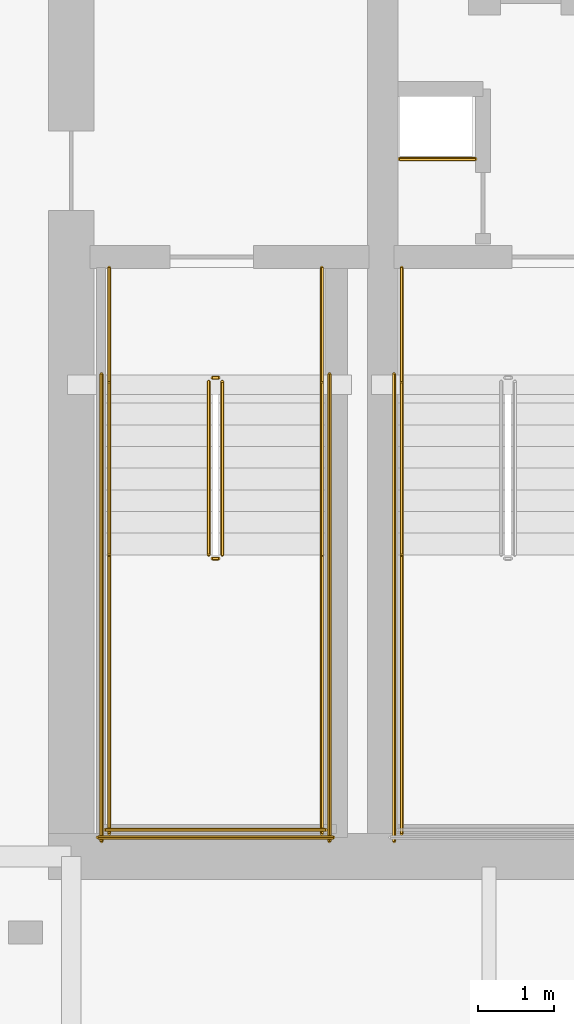
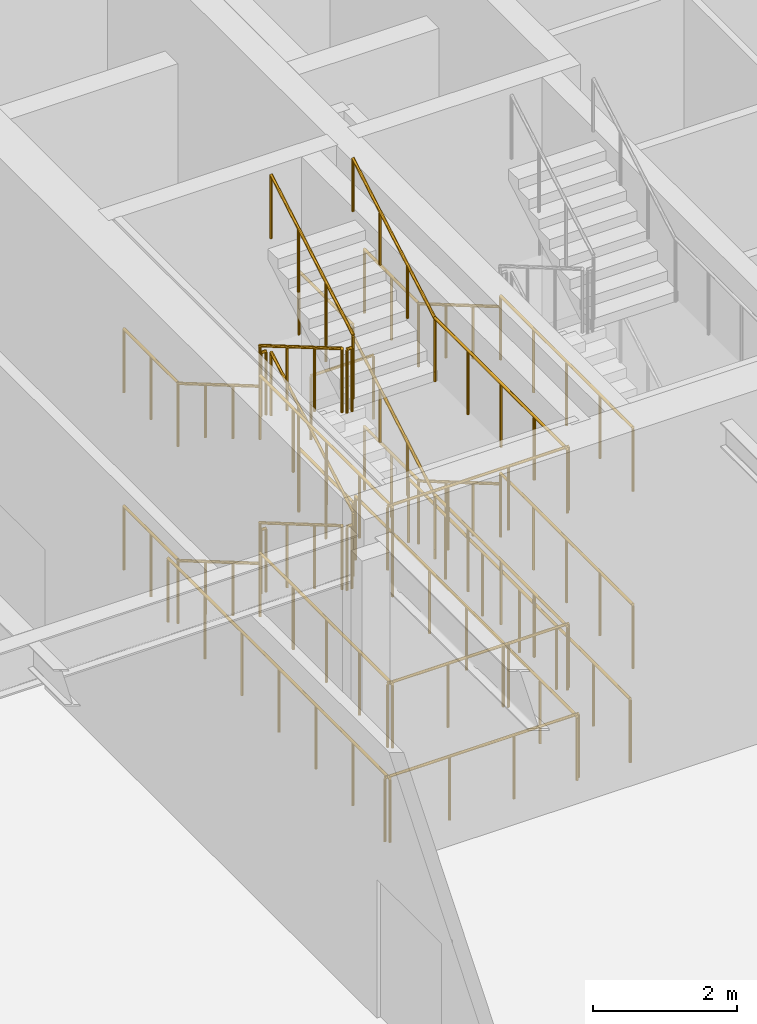
# One storey, part 12 of 17: 33 railings.
"""IFC4 building model written with IfcOpenShell, lengths in metres."""

from ifc_helpers import new_model, si_unit, direction, frame, origin, origin_2d, place, context, subcontext, project, spatial, circle, extrude, material, type_object, element, save


model = new_model("IFC4")

# Units and contexts
model_context = context("Model", 3, precision=1e-05, world=origin(), true_north=direction((0.0, 1.0)))
body_context = subcontext(model_context, "Body", "Model", "MODEL_VIEW")
ifc_project = project(units=[si_unit("LENGTHUNIT", "METRE"), si_unit("AREAUNIT", "SQUARE_METRE"), si_unit("VOLUMEUNIT", "CUBIC_METRE"), si_unit("PLANEANGLEUNIT", "RADIAN"), si_unit("MASSUNIT", "GRAM", prefix="KILO")], contexts=[model_context])

# Site, building, storey
site_placement = place(None, origin())
site = spatial("IfcSite", under=ifc_project, at=site_placement, CompositionType="ELEMENT")
building_placement = place(site_placement, origin())
building = spatial("IfcBuilding", under=site, at=building_placement, Name="Bramvorn Convention Spire", CompositionType="ELEMENT")
storey_placement = place(building_placement, frame((0.0, 0.0, 24.0)))
storey = spatial("IfcBuildingStorey", under=building, at=storey_placement, Name="L04", CompositionType="ELEMENT", Elevation=24.0)

# Railings
ifc_material_1 = material(Name="Painted Steel Balustrade & Guardrail", Category="steel")
railing_type_1 = type_object("IfcRailingType", Name="RL-STAIR-GUARD-1100", PredefinedType="GUARDRAIL", material=ifc_material_1)
railing_1_placement = place(storey_placement, frame((28.81005859375, 25.050048828125, 0.166748046875)))
element("IfcRailing", 1, at=railing_1_placement, inside=storey, type_object=railing_type_1, Name="L04 ST1 stair guard 1", PredefinedType="GUARDRAIL", context=body_context, shape_type="SweptSolid", body=[
    extrude(circle(Radius=0.02392578125, at=origin_2d()), frame((0.0, 0.0, 1.076171875), z_axis=(0.0, -0.863245362884, 0.504784551527), x_axis=(1.0, 0.0, 0.0)), (0.0, 0.0, 1.0), 2.64111328125),
    extrude(circle(Radius=0.02099609375, at=origin_2d()), origin(), (0.0, 0.0, 1.0), 1.052001953125),
    extrude(circle(Radius=0.02099609375, at=origin_2d()), frame((0.0, -0.760009765625, 0.4443359375)), (0.0, 0.0, 1.0), 1.052001953125),
    extrude(circle(Radius=0.02099609375, at=origin_2d()), frame((0.0, -1.52001953125, 0.888916015625)), (0.0, 0.0, 1.0), 1.052001953125),
    extrude(circle(Radius=0.02099609375, at=origin_2d()), frame((0.0, -2.280029296875, 1.333251953125)), (0.0, 0.0, 1.0), 1.052001953125),
])
railing_2_placement = place(storey_placement, frame((28.860107421875, 22.719970703125, 1.5)))
element("IfcRailing", 2, at=railing_2_placement, inside=storey, type_object=railing_type_1, Name="L04 ST1 stair guard 2", PredefinedType="GUARDRAIL", context=body_context, shape_type="SweptSolid", body=[
    extrude(circle(Radius=0.02392578125, at=origin_2d()), frame((0.0, 0.0, 1.076171875), z_axis=(1.0, 0.0, 0.0), x_axis=(0.0, 1.0, 0.0)), (0.0, 0.0, 1.0), 0.079833984375),
    extrude(circle(Radius=0.02099609375, at=origin_2d()), origin(), (0.0, 0.0, 1.0), 1.052001953125),
    extrude(circle(Radius=0.02099609375, at=origin_2d()), frame((0.079833984375, 0.0, 0.0)), (0.0, 0.0, 1.0), 1.052001953125),
])
for number, where, name in (
    (3, (27.5, 22.77001953125, 1.5), "L04 ST1 stair guard 3"),
    (4, (30.300048828125, 22.77001953125, 1.5), "L04 ST1 stair guard 4"),
):
    element("IfcRailing", number, at=place(storey_placement, frame(where)), inside=storey, type_object=railing_type_1, Name=name, PredefinedType="GUARDRAIL", context=body_context, shape_type="SweptSolid", body=[
        extrude(circle(Radius=0.02392578125, at=origin_2d()), frame((0.0, 0.0, 1.076171875), z_axis=(0.0, -1.0, 0.0), x_axis=(1.0, 0.0, 0.0)), (0.0, 0.0, 1.0), 3.669921875),
        extrude(circle(Radius=0.02099609375, at=origin_2d()), origin(), (0.0, 0.0, 1.0), 1.052001953125),
        extrude(circle(Radius=0.02099609375, at=origin_2d()), frame((0.0, -0.91748046875, 0.0)), (0.0, 0.0, 1.0), 1.052001953125),
        extrude(circle(Radius=0.02099609375, at=origin_2d()), frame((0.0, -1.8349609375, 0.0)), (0.0, 0.0, 1.0), 1.052001953125),
        extrude(circle(Radius=0.02099609375, at=origin_2d()), frame((0.0, -2.75244140625, 0.0)), (0.0, 0.0, 1.0), 1.052001953125),
        extrude(circle(Radius=0.02099609375, at=origin_2d()), frame((0.0, -3.669921875, 0.0)), (0.0, 0.0, 1.0), 1.052001953125),
    ])
railing_3_placement = place(storey_placement, frame((27.449951171875, 19.14990234375, 1.5)))
element("IfcRailing", 5, at=railing_3_placement, inside=storey, type_object=railing_type_1, Name="L04 ST1 stair guard 5", PredefinedType="GUARDRAIL", context=body_context, shape_type="SweptSolid", body=[
    extrude(circle(Radius=0.02392578125, at=origin_2d()), frame((0.0, 0.0, 1.076171875), z_axis=(1.0, 0.0, 0.0), x_axis=(0.0, 1.0, 0.0)), (0.0, 0.0, 1.0), 2.900146484375),
    extrude(circle(Radius=0.02099609375, at=origin_2d()), origin(), (0.0, 0.0, 1.0), 1.052001953125),
    extrude(circle(Radius=0.02099609375, at=origin_2d()), frame((0.966796875, 0.0, 0.0)), (0.0, 0.0, 1.0), 1.052001953125),
    extrude(circle(Radius=0.02099609375, at=origin_2d()), frame((1.933349609375, 0.0, 0.0)), (0.0, 0.0, 1.0), 1.052001953125),
    extrude(circle(Radius=0.02099609375, at=origin_2d()), frame((2.900146484375, 0.0, 0.0)), (0.0, 0.0, 1.0), 1.052001953125),
])
railing_4_placement = place(storey_placement, frame((28.989990234375, 22.77001953125, 1.666748046875)))
element("IfcRailing", 6, at=railing_4_placement, inside=storey, type_object=railing_type_1, Name="L04 ST1 stair guard 6", PredefinedType="GUARDRAIL", context=body_context, shape_type="SweptSolid", body=[
    extrude(circle(Radius=0.02392578125, at=origin_2d()), frame((0.0, 0.0, 1.076171875), z_axis=(0.0, 0.863245362884, 0.504784551527), x_axis=(-1.0, 0.0, 0.0)), (0.0, 0.0, 1.0), 2.64111328125),
    extrude(circle(Radius=0.02099609375, at=origin_2d()), origin(), (0.0, 0.0, 1.0), 1.052001953125),
    extrude(circle(Radius=0.02099609375, at=origin_2d()), frame((0.0, 0.760009765625, 0.4443359375)), (0.0, 0.0, 1.0), 1.052001953125),
    extrude(circle(Radius=0.02099609375, at=origin_2d()), frame((0.0, 1.52001953125, 0.888916015625)), (0.0, 0.0, 1.0), 1.052001953125),
    extrude(circle(Radius=0.02099609375, at=origin_2d()), frame((0.0, 2.280029296875, 1.333251953125)), (0.0, 0.0, 1.0), 1.052001953125),
])
railing_5_placement = place(storey_placement, frame((28.860107421875, 25.10009765625, 3.0)))
element("IfcRailing", 7, at=railing_5_placement, inside=storey, type_object=railing_type_1, Name="L04 ST1 stair guard 7", PredefinedType="GUARDRAIL", context=body_context, shape_type="SweptSolid", body=[
    extrude(circle(Radius=0.02392578125, at=origin_2d()), frame((0.0, 0.0, 1.076171875), z_axis=(1.0, 0.0, 0.0), x_axis=(0.0, 1.0, 0.0)), (0.0, 0.0, 1.0), 0.079833984375),
    extrude(circle(Radius=0.02099609375, at=origin_2d()), origin(), (0.0, 0.0, 1.0), 1.052001953125),
    extrude(circle(Radius=0.02099609375, at=origin_2d()), frame((0.079833984375, 0.0, 0.0)), (0.0, 0.0, 1.0), 1.052001953125),
])
for number, where, name in (
    (8, (27.5, 26.550048828125, 3.0), "L04 ST1 stair guard 8"),
    (9, (30.300048828125, 26.550048828125, 3.0), "L04 ST1 stair guard 9"),
):
    element("IfcRailing", number, at=place(storey_placement, frame(where)), inside=storey, type_object=railing_type_1, Name=name, PredefinedType="GUARDRAIL", context=body_context, shape_type="SweptSolid", body=[
        extrude(circle(Radius=0.02392578125, at=origin_2d()), frame((0.0, 0.0, 1.076171875), z_axis=(0.0, -1.0, 0.0), x_axis=(1.0, 0.0, 0.0)), (0.0, 0.0, 1.0), 1.5),
        extrude(circle(Radius=0.02099609375, at=origin_2d()), origin(), (0.0, 0.0, 1.0), 1.052001953125),
        extrude(circle(Radius=0.02099609375, at=origin_2d()), frame((0.0, -0.75, 0.0)), (0.0, 0.0, 1.0), 1.052001953125),
        extrude(circle(Radius=0.02099609375, at=origin_2d()), frame((0.0, -1.5, 0.0)), (0.0, 0.0, 1.0), 1.052001953125),
    ])
railing_6_placement = place(storey_placement, frame((28.81005859375, 25.050048828125, 3.166748046875)))
element("IfcRailing", 10, at=railing_6_placement, inside=storey, type_object=railing_type_1, Name="L04 ST1 stair guard 10", PredefinedType="GUARDRAIL", context=body_context, shape_type="SweptSolid", body=[
    extrude(circle(Radius=0.02392578125, at=origin_2d()), frame((0.0, 0.0, 1.076171875), z_axis=(0.0, -0.863245362884, 0.504784551527), x_axis=(1.0, 0.0, 0.0)), (0.0, 0.0, 1.0), 2.64111328125),
    extrude(circle(Radius=0.02099609375, at=origin_2d()), origin(), (0.0, 0.0, 1.0), 1.052001953125),
    extrude(circle(Radius=0.02099609375, at=origin_2d()), frame((0.0, -0.760009765625, 0.4443359375)), (0.0, 0.0, 1.0), 1.052001953125),
    extrude(circle(Radius=0.02099609375, at=origin_2d()), frame((0.0, -1.52001953125, 0.888916015625)), (0.0, 0.0, 1.0), 1.052001953125),
    extrude(circle(Radius=0.02099609375, at=origin_2d()), frame((0.0, -2.280029296875, 1.333251953125)), (0.0, 0.0, 1.0), 1.052001953125),
])
railing_7_placement = place(storey_placement, frame((28.860107421875, 22.719970703125, 4.5)))
element("IfcRailing", 11, at=railing_7_placement, inside=storey, type_object=railing_type_1, Name="L04 ST1 stair guard 11", PredefinedType="GUARDRAIL", context=body_context, shape_type="SweptSolid", body=[
    extrude(circle(Radius=0.02392578125, at=origin_2d()), frame((0.0, 0.0, 1.076171875), z_axis=(1.0, 0.0, 0.0), x_axis=(0.0, 1.0, 0.0)), (0.0, 0.0, 1.0), 0.079833984375),
    extrude(circle(Radius=0.02099609375, at=origin_2d()), origin(), (0.0, 0.0, 1.0), 1.052001953125),
    extrude(circle(Radius=0.02099609375, at=origin_2d()), frame((0.079833984375, 0.0, 0.0)), (0.0, 0.0, 1.0), 1.052001953125),
])
for number, where, name in (
    (12, (27.5, 22.77001953125, 4.5), "L04 ST1 stair guard 12"),
    (13, (30.300048828125, 22.77001953125, 4.5), "L04 ST1 stair guard 13"),
):
    element("IfcRailing", number, at=place(storey_placement, frame(where)), inside=storey, type_object=railing_type_1, Name=name, PredefinedType="GUARDRAIL", context=body_context, shape_type="SweptSolid", body=[
        extrude(circle(Radius=0.02392578125, at=origin_2d()), frame((0.0, 0.0, 1.076171875), z_axis=(0.0, -1.0, 0.0), x_axis=(1.0, 0.0, 0.0)), (0.0, 0.0, 1.0), 3.669921875),
        extrude(circle(Radius=0.02099609375, at=origin_2d()), origin(), (0.0, 0.0, 1.0), 1.052001953125),
        extrude(circle(Radius=0.02099609375, at=origin_2d()), frame((0.0, -0.91748046875, 0.0)), (0.0, 0.0, 1.0), 1.052001953125),
        extrude(circle(Radius=0.02099609375, at=origin_2d()), frame((0.0, -1.8349609375, 0.0)), (0.0, 0.0, 1.0), 1.052001953125),
        extrude(circle(Radius=0.02099609375, at=origin_2d()), frame((0.0, -2.75244140625, 0.0)), (0.0, 0.0, 1.0), 1.052001953125),
        extrude(circle(Radius=0.02099609375, at=origin_2d()), frame((0.0, -3.669921875, 0.0)), (0.0, 0.0, 1.0), 1.052001953125),
    ])
railing_8_placement = place(storey_placement, frame((27.449951171875, 19.14990234375, 4.5)))
element("IfcRailing", 14, at=railing_8_placement, inside=storey, type_object=railing_type_1, Name="L04 ST1 stair guard 14", PredefinedType="GUARDRAIL", context=body_context, shape_type="SweptSolid", body=[
    extrude(circle(Radius=0.02392578125, at=origin_2d()), frame((0.0, 0.0, 1.076171875), z_axis=(1.0, 0.0, 0.0), x_axis=(0.0, 1.0, 0.0)), (0.0, 0.0, 1.0), 2.900146484375),
    extrude(circle(Radius=0.02099609375, at=origin_2d()), origin(), (0.0, 0.0, 1.0), 1.052001953125),
    extrude(circle(Radius=0.02099609375, at=origin_2d()), frame((0.966796875, 0.0, 0.0)), (0.0, 0.0, 1.0), 1.052001953125),
    extrude(circle(Radius=0.02099609375, at=origin_2d()), frame((1.933349609375, 0.0, 0.0)), (0.0, 0.0, 1.0), 1.052001953125),
    extrude(circle(Radius=0.02099609375, at=origin_2d()), frame((2.900146484375, 0.0, 0.0)), (0.0, 0.0, 1.0), 1.052001953125),
])
railing_9_placement = place(storey_placement, frame((28.989990234375, 22.77001953125, 4.666748046875)))
element("IfcRailing", 15, at=railing_9_placement, inside=storey, type_object=railing_type_1, Name="L04 ST1 stair guard 15", PredefinedType="GUARDRAIL", context=body_context, shape_type="SweptSolid", body=[
    extrude(circle(Radius=0.02392578125, at=origin_2d()), frame((0.0, 0.0, 1.076171875), z_axis=(0.0, 0.863245362884, 0.504784551527), x_axis=(-1.0, 0.0, 0.0)), (0.0, 0.0, 1.0), 2.64111328125),
    extrude(circle(Radius=0.02099609375, at=origin_2d()), origin(), (0.0, 0.0, 1.0), 1.052001953125),
    extrude(circle(Radius=0.02099609375, at=origin_2d()), frame((0.0, 0.760009765625, 0.4443359375)), (0.0, 0.0, 1.0), 1.052001953125),
    extrude(circle(Radius=0.02099609375, at=origin_2d()), frame((0.0, 1.52001953125, 0.888916015625)), (0.0, 0.0, 1.0), 1.052001953125),
    extrude(circle(Radius=0.02099609375, at=origin_2d()), frame((0.0, 2.280029296875, 1.333251953125)), (0.0, 0.0, 1.0), 1.052001953125),
])
railing_10_placement = place(storey_placement, frame((28.860107421875, 25.10009765625, 0.0)))
element("IfcRailing", 16, at=railing_10_placement, inside=storey, type_object=railing_type_1, Name="L04 ST1 stair guard 16", PredefinedType="GUARDRAIL", context=body_context, shape_type="SweptSolid", body=[
    extrude(circle(Radius=0.02392578125, at=origin_2d()), frame((0.0, 0.0, 1.076171875), z_axis=(1.0, 0.0, 0.0), x_axis=(0.0, 1.0, 0.0)), (0.0, 0.0, 1.0), 0.079833984375),
    extrude(circle(Radius=0.02099609375, at=origin_2d()), origin(), (0.0, 0.0, 1.0), 1.052001953125),
    extrude(circle(Radius=0.02099609375, at=origin_2d()), frame((0.079833984375, 0.0, 0.0)), (0.0, 0.0, 1.0), 1.052001953125),
])
for number, where, name in (
    (17, (27.5, 26.550048828125, 0.0), "L04 ST1 stair guard 17"),
    (18, (30.300048828125, 26.550048828125, 0.0), "L04 ST1 stair guard 18"),
):
    element("IfcRailing", number, at=place(storey_placement, frame(where)), inside=storey, type_object=railing_type_1, Name=name, PredefinedType="GUARDRAIL", context=body_context, shape_type="SweptSolid", body=[
        extrude(circle(Radius=0.02392578125, at=origin_2d()), frame((0.0, 0.0, 1.076171875), z_axis=(0.0, -1.0, 0.0), x_axis=(1.0, 0.0, 0.0)), (0.0, 0.0, 1.0), 1.5),
        extrude(circle(Radius=0.02099609375, at=origin_2d()), origin(), (0.0, 0.0, 1.0), 1.052001953125),
        extrude(circle(Radius=0.02099609375, at=origin_2d()), frame((0.0, -0.75, 0.0)), (0.0, 0.0, 1.0), 1.052001953125),
        extrude(circle(Radius=0.02099609375, at=origin_2d()), frame((0.0, -1.5, 0.0)), (0.0, 0.0, 1.0), 1.052001953125),
    ])
for number, where, name in (
    (19, (27.39990234375, 25.14990234375, 0.0), "L04 ST1 stair guard 19"),
    (20, (30.39990234375, 25.14990234375, 0.0), "L04 ST1 stair guard 20"),
):
    element("IfcRailing", number, at=place(storey_placement, frame(where)), inside=storey, type_object=railing_type_1, Name=name, PredefinedType="GUARDRAIL", context=body_context, shape_type="SweptSolid", body=[
        extrude(circle(Radius=0.02392578125, at=origin_2d()), frame((0.0, 0.0, 1.076171875), z_axis=(0.0, -1.0, 0.0), x_axis=(1.0, 0.0, 0.0)), (0.0, 0.0, 1.0), 6.14990234375),
        extrude(circle(Radius=0.02099609375, at=origin_2d()), origin(), (0.0, 0.0, 1.0), 1.052001953125),
        extrude(circle(Radius=0.02099609375, at=origin_2d()), frame((0.0, -1.02490234375, 0.0)), (0.0, 0.0, 1.0), 1.052001953125),
        extrude(circle(Radius=0.02099609375, at=origin_2d()), frame((0.0, -2.050048828125, 0.0)), (0.0, 0.0, 1.0), 1.052001953125),
        extrude(circle(Radius=0.02099609375, at=origin_2d()), frame((0.0, -3.074951171875, 0.0)), (0.0, 0.0, 1.0), 1.052001953125),
        extrude(circle(Radius=0.02099609375, at=origin_2d()), frame((0.0, -4.099853515625, 0.0)), (0.0, 0.0, 1.0), 1.052001953125),
        extrude(circle(Radius=0.02099609375, at=origin_2d()), frame((0.0, -5.125, 0.0)), (0.0, 0.0, 1.0), 1.052001953125),
        extrude(circle(Radius=0.02099609375, at=origin_2d()), frame((0.0, -6.14990234375, 0.0)), (0.0, 0.0, 1.0), 1.052001953125),
    ])
railing_11_placement = place(storey_placement, frame((27.35009765625, 19.050048828125, 0.0)))
element("IfcRailing", 21, at=railing_11_placement, inside=storey, type_object=railing_type_1, Name="L04 ST1 stair guard 21", PredefinedType="GUARDRAIL", context=body_context, shape_type="SweptSolid", body=[
    extrude(circle(Radius=0.02392578125, at=origin_2d()), frame((0.0, 0.0, 1.076171875), z_axis=(1.0, 0.0, 0.0), x_axis=(0.0, 1.0, 0.0)), (0.0, 0.0, 1.0), 3.099853515625),
    extrude(circle(Radius=0.02099609375, at=origin_2d()), origin(), (0.0, 0.0, 1.0), 1.052001953125),
    extrude(circle(Radius=0.02099609375, at=origin_2d()), frame((1.033203125, 0.0, 0.0)), (0.0, 0.0, 1.0), 1.052001953125),
    extrude(circle(Radius=0.02099609375, at=origin_2d()), frame((2.066650390625, 0.0, 0.0)), (0.0, 0.0, 1.0), 1.052001953125),
    extrude(circle(Radius=0.02099609375, at=origin_2d()), frame((3.099853515625, 0.0, 0.0)), (0.0, 0.0, 1.0), 1.052001953125),
])
railing_12_placement = place(storey_placement, frame((31.35009765625, 22.77001953125, 1.5)))
element("IfcRailing", 22, at=railing_12_placement, inside=storey, type_object=railing_type_1, Name="L04 ST3 stair guard 3", PredefinedType="GUARDRAIL", context=body_context, shape_type="SweptSolid", body=[
    extrude(circle(Radius=0.02392578125, at=origin_2d()), frame((0.0, 0.0, 1.076171875), z_axis=(0.0, -1.0, 0.0), x_axis=(1.0, 0.0, 0.0)), (0.0, 0.0, 1.0), 3.669921875),
    extrude(circle(Radius=0.02099609375, at=origin_2d()), origin(), (0.0, 0.0, 1.0), 1.052001953125),
    extrude(circle(Radius=0.02099609375, at=origin_2d()), frame((0.0, -0.91748046875, 0.0)), (0.0, 0.0, 1.0), 1.052001953125),
    extrude(circle(Radius=0.02099609375, at=origin_2d()), frame((0.0, -1.8349609375, 0.0)), (0.0, 0.0, 1.0), 1.052001953125),
    extrude(circle(Radius=0.02099609375, at=origin_2d()), frame((0.0, -2.75244140625, 0.0)), (0.0, 0.0, 1.0), 1.052001953125),
    extrude(circle(Radius=0.02099609375, at=origin_2d()), frame((0.0, -3.669921875, 0.0)), (0.0, 0.0, 1.0), 1.052001953125),
])
railing_13_placement = place(storey_placement, frame((31.35009765625, 26.550048828125, 3.0)))
element("IfcRailing", 23, at=railing_13_placement, inside=storey, type_object=railing_type_1, Name="L04 ST3 stair guard 8", PredefinedType="GUARDRAIL", context=body_context, shape_type="SweptSolid", body=[
    extrude(circle(Radius=0.02392578125, at=origin_2d()), frame((0.0, 0.0, 1.076171875), z_axis=(0.0, -1.0, 0.0), x_axis=(1.0, 0.0, 0.0)), (0.0, 0.0, 1.0), 1.5),
    extrude(circle(Radius=0.02099609375, at=origin_2d()), origin(), (0.0, 0.0, 1.0), 1.052001953125),
    extrude(circle(Radius=0.02099609375, at=origin_2d()), frame((0.0, -0.75, 0.0)), (0.0, 0.0, 1.0), 1.052001953125),
    extrude(circle(Radius=0.02099609375, at=origin_2d()), frame((0.0, -1.5, 0.0)), (0.0, 0.0, 1.0), 1.052001953125),
])
railing_14_placement = place(storey_placement, frame((31.35009765625, 22.77001953125, 4.5)))
element("IfcRailing", 24, at=railing_14_placement, inside=storey, type_object=railing_type_1, Name="L04 ST3 stair guard 12", PredefinedType="GUARDRAIL", context=body_context, shape_type="SweptSolid", body=[
    extrude(circle(Radius=0.02392578125, at=origin_2d()), frame((0.0, 0.0, 1.076171875), z_axis=(0.0, -1.0, 0.0), x_axis=(1.0, 0.0, 0.0)), (0.0, 0.0, 1.0), 3.669921875),
    extrude(circle(Radius=0.02099609375, at=origin_2d()), origin(), (0.0, 0.0, 1.0), 1.052001953125),
    extrude(circle(Radius=0.02099609375, at=origin_2d()), frame((0.0, -0.91748046875, 0.0)), (0.0, 0.0, 1.0), 1.052001953125),
    extrude(circle(Radius=0.02099609375, at=origin_2d()), frame((0.0, -1.8349609375, 0.0)), (0.0, 0.0, 1.0), 1.052001953125),
    extrude(circle(Radius=0.02099609375, at=origin_2d()), frame((0.0, -2.75244140625, 0.0)), (0.0, 0.0, 1.0), 1.052001953125),
    extrude(circle(Radius=0.02099609375, at=origin_2d()), frame((0.0, -3.669921875, 0.0)), (0.0, 0.0, 1.0), 1.052001953125),
])
railing_15_placement = place(storey_placement, frame((31.35009765625, 26.550048828125, 0.0)))
element("IfcRailing", 25, at=railing_15_placement, inside=storey, type_object=railing_type_1, Name="L04 ST3 stair guard 17", PredefinedType="GUARDRAIL", context=body_context, shape_type="SweptSolid", body=[
    extrude(circle(Radius=0.02392578125, at=origin_2d()), frame((0.0, 0.0, 1.076171875), z_axis=(0.0, -1.0, 0.0), x_axis=(1.0, 0.0, 0.0)), (0.0, 0.0, 1.0), 1.5),
    extrude(circle(Radius=0.02099609375, at=origin_2d()), origin(), (0.0, 0.0, 1.0), 1.052001953125),
    extrude(circle(Radius=0.02099609375, at=origin_2d()), frame((0.0, -0.75, 0.0)), (0.0, 0.0, 1.0), 1.052001953125),
    extrude(circle(Radius=0.02099609375, at=origin_2d()), frame((0.0, -1.5, 0.0)), (0.0, 0.0, 1.0), 1.052001953125),
])
railing_16_placement = place(storey_placement, frame((31.25, 25.14990234375, 0.0)))
element("IfcRailing", 26, at=railing_16_placement, inside=storey, type_object=railing_type_1, Name="L04 ST3 stair guard 19", PredefinedType="GUARDRAIL", context=body_context, shape_type="SweptSolid", body=[
    extrude(circle(Radius=0.02392578125, at=origin_2d()), frame((0.0, 0.0, 1.076171875), z_axis=(0.0, -1.0, 0.0), x_axis=(1.0, 0.0, 0.0)), (0.0, 0.0, 1.0), 6.14990234375),
    extrude(circle(Radius=0.02099609375, at=origin_2d()), origin(), (0.0, 0.0, 1.0), 1.052001953125),
    extrude(circle(Radius=0.02099609375, at=origin_2d()), frame((0.0, -1.02490234375, 0.0)), (0.0, 0.0, 1.0), 1.052001953125),
    extrude(circle(Radius=0.02099609375, at=origin_2d()), frame((0.0, -2.050048828125, 0.0)), (0.0, 0.0, 1.0), 1.052001953125),
    extrude(circle(Radius=0.02099609375, at=origin_2d()), frame((0.0, -3.074951171875, 0.0)), (0.0, 0.0, 1.0), 1.052001953125),
    extrude(circle(Radius=0.02099609375, at=origin_2d()), frame((0.0, -4.099853515625, 0.0)), (0.0, 0.0, 1.0), 1.052001953125),
    extrude(circle(Radius=0.02099609375, at=origin_2d()), frame((0.0, -5.125, 0.0)), (0.0, 0.0, 1.0), 1.052001953125),
    extrude(circle(Radius=0.02099609375, at=origin_2d()), frame((0.0, -6.14990234375, 0.0)), (0.0, 0.0, 1.0), 1.052001953125),
])
railing_17_placement = place(storey_placement, frame((31.320068359375, 27.97998046875, 0.0)))
element("IfcRailing", 27, at=railing_17_placement, inside=storey, type_object=railing_type_1, Name="L04 Telecom riser shaft opening safety guardrail", PredefinedType="GUARDRAIL", context=body_context, shape_type="SweptSolid", body=[
    extrude(circle(Radius=0.02392578125, at=origin_2d()), frame((0.0, 0.0, 1.076171875), z_axis=(1.0, 0.0, 0.0), x_axis=(0.0, 1.0, 0.0)), (0.0, 0.0, 1.0), 1.0),
    extrude(circle(Radius=0.02099609375, at=origin_2d()), origin(), (0.0, 0.0, 1.0), 1.052001953125),
    extrude(circle(Radius=0.02099609375, at=origin_2d()), frame((1.0, 0.0, 0.0)), (0.0, 0.0, 1.0), 1.052001953125),
])
ifc_material_2 = material(Name="Brushed Bronze Tubular Handrail", Category="aluminium")
railing_type_2 = type_object("IfcRailingType", Name="RL-STAIR-HR-920", PredefinedType="HANDRAIL", material=ifc_material_2)
railing_18_placement = place(storey_placement, frame((27.5, 25.050048828125, 0.166748046875)))
element("IfcRailing", 28, at=railing_18_placement, inside=storey, type_object=railing_type_2, Name="L04 ST1 stair handrail 1", PredefinedType="HANDRAIL", context=body_context, shape_type="SweptSolid", body=[
    extrude(circle(Radius=0.02392578125, at=origin_2d()), frame((0.0, 0.0, 0.89599609375), z_axis=(0.0, -0.863245362884, 0.504784551527), x_axis=(1.0, 0.0, 0.0)), (0.0, 0.0, 1.0), 2.64111328125),
    extrude(circle(Radius=0.02099609375, at=origin_2d()), origin(), (0.0, 0.0, 1.0), 0.871826171875),
    extrude(circle(Radius=0.02099609375, at=origin_2d()), frame((0.0, -0.760009765625, 0.4443359375)), (0.0, 0.0, 1.0), 0.871826171875),
    extrude(circle(Radius=0.02099609375, at=origin_2d()), frame((0.0, -1.52001953125, 0.888916015625)), (0.0, 0.0, 1.0), 0.871826171875),
    extrude(circle(Radius=0.02099609375, at=origin_2d()), frame((0.0, -2.280029296875, 1.333251953125)), (0.0, 0.0, 1.0), 0.871826171875),
])
railing_19_placement = place(storey_placement, frame((30.300048828125, 22.77001953125, 1.666748046875)))
element("IfcRailing", 29, at=railing_19_placement, inside=storey, type_object=railing_type_2, Name="L04 ST1 stair handrail 2", PredefinedType="HANDRAIL", context=body_context, shape_type="SweptSolid", body=[
    extrude(circle(Radius=0.02392578125, at=origin_2d()), frame((0.0, 0.0, 0.89599609375), z_axis=(0.0, 0.863245362884, 0.504784551527), x_axis=(-1.0, 0.0, 0.0)), (0.0, 0.0, 1.0), 2.64111328125),
    extrude(circle(Radius=0.02099609375, at=origin_2d()), origin(), (0.0, 0.0, 1.0), 0.871826171875),
    extrude(circle(Radius=0.02099609375, at=origin_2d()), frame((0.0, 0.760009765625, 0.4443359375)), (0.0, 0.0, 1.0), 0.871826171875),
    extrude(circle(Radius=0.02099609375, at=origin_2d()), frame((0.0, 1.52001953125, 0.888916015625)), (0.0, 0.0, 1.0), 0.871826171875),
    extrude(circle(Radius=0.02099609375, at=origin_2d()), frame((0.0, 2.280029296875, 1.333251953125)), (0.0, 0.0, 1.0), 0.871826171875),
])
railing_20_placement = place(storey_placement, frame((27.5, 25.050048828125, 3.166748046875)))
element("IfcRailing", 30, at=railing_20_placement, inside=storey, type_object=railing_type_2, Name="L04 ST1 stair handrail 3", PredefinedType="HANDRAIL", context=body_context, shape_type="SweptSolid", body=[
    extrude(circle(Radius=0.02392578125, at=origin_2d()), frame((0.0, 0.0, 0.89599609375), z_axis=(0.0, -0.863245362884, 0.504784551527), x_axis=(1.0, 0.0, 0.0)), (0.0, 0.0, 1.0), 2.64111328125),
    extrude(circle(Radius=0.02099609375, at=origin_2d()), origin(), (0.0, 0.0, 1.0), 0.871826171875),
    extrude(circle(Radius=0.02099609375, at=origin_2d()), frame((0.0, -0.760009765625, 0.4443359375)), (0.0, 0.0, 1.0), 0.871826171875),
    extrude(circle(Radius=0.02099609375, at=origin_2d()), frame((0.0, -1.52001953125, 0.888916015625)), (0.0, 0.0, 1.0), 0.871826171875),
    extrude(circle(Radius=0.02099609375, at=origin_2d()), frame((0.0, -2.280029296875, 1.333251953125)), (0.0, 0.0, 1.0), 0.871826171875),
])
railing_21_placement = place(storey_placement, frame((30.300048828125, 22.77001953125, 4.666748046875)))
element("IfcRailing", 31, at=railing_21_placement, inside=storey, type_object=railing_type_2, Name="L04 ST1 stair handrail 4", PredefinedType="HANDRAIL", context=body_context, shape_type="SweptSolid", body=[
    extrude(circle(Radius=0.02392578125, at=origin_2d()), frame((0.0, 0.0, 0.89599609375), z_axis=(0.0, 0.863245362884, 0.504784551527), x_axis=(-1.0, 0.0, 0.0)), (0.0, 0.0, 1.0), 2.64111328125),
    extrude(circle(Radius=0.02099609375, at=origin_2d()), origin(), (0.0, 0.0, 1.0), 0.871826171875),
    extrude(circle(Radius=0.02099609375, at=origin_2d()), frame((0.0, 0.760009765625, 0.4443359375)), (0.0, 0.0, 1.0), 0.871826171875),
    extrude(circle(Radius=0.02099609375, at=origin_2d()), frame((0.0, 1.52001953125, 0.888916015625)), (0.0, 0.0, 1.0), 0.871826171875),
    extrude(circle(Radius=0.02099609375, at=origin_2d()), frame((0.0, 2.280029296875, 1.333251953125)), (0.0, 0.0, 1.0), 0.871826171875),
])
for number, where, name in (
    (32, (31.35009765625, 25.050048828125, 0.166748046875), "L04 ST3 stair handrail 1"),
    (33, (31.35009765625, 25.050048828125, 3.166748046875), "L04 ST3 stair handrail 3"),
):
    element("IfcRailing", number, at=place(storey_placement, frame(where)), inside=storey, type_object=railing_type_2, Name=name, PredefinedType="HANDRAIL", context=body_context, shape_type="SweptSolid", body=[
        extrude(circle(Radius=0.02392578125, at=origin_2d()), frame((0.0, 0.0, 0.89599609375), z_axis=(0.0, -0.863245362884, 0.504784551527), x_axis=(1.0, 0.0, 0.0)), (0.0, 0.0, 1.0), 2.64111328125),
        extrude(circle(Radius=0.02099609375, at=origin_2d()), origin(), (0.0, 0.0, 1.0), 0.871826171875),
        extrude(circle(Radius=0.02099609375, at=origin_2d()), frame((0.0, -0.760009765625, 0.4443359375)), (0.0, 0.0, 1.0), 0.871826171875),
        extrude(circle(Radius=0.02099609375, at=origin_2d()), frame((0.0, -1.52001953125, 0.888916015625)), (0.0, 0.0, 1.0), 0.871826171875),
        extrude(circle(Radius=0.02099609375, at=origin_2d()), frame((0.0, -2.280029296875, 1.333251953125)), (0.0, 0.0, 1.0), 0.871826171875),
    ])

save(model, "model.ifc")
